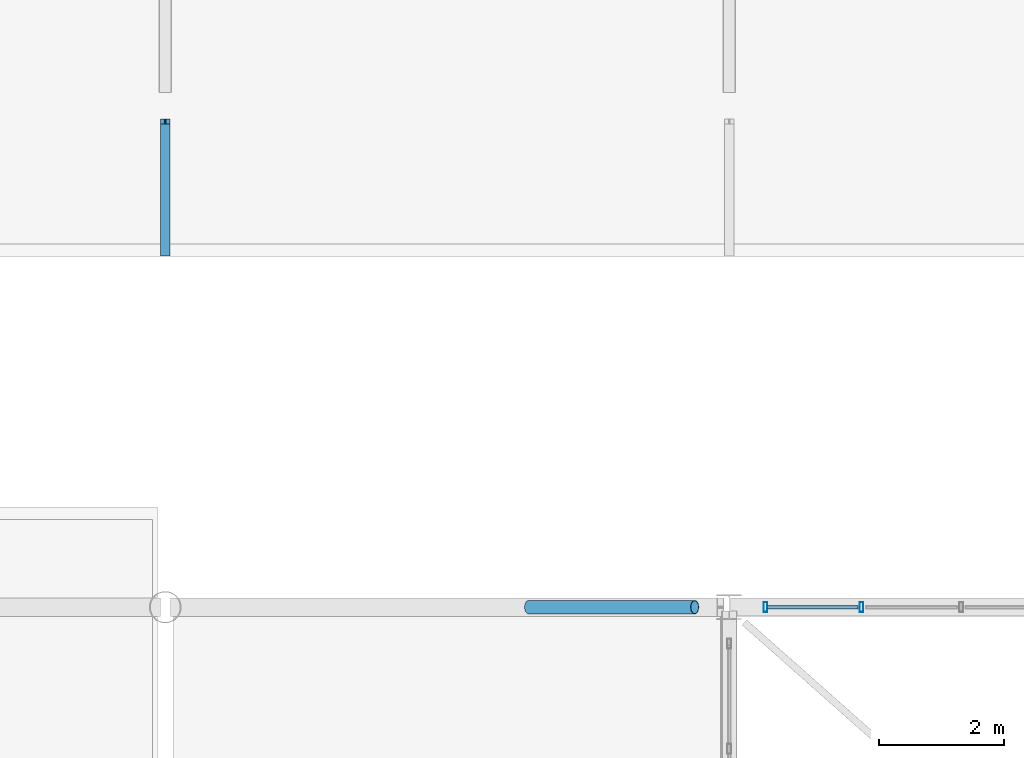
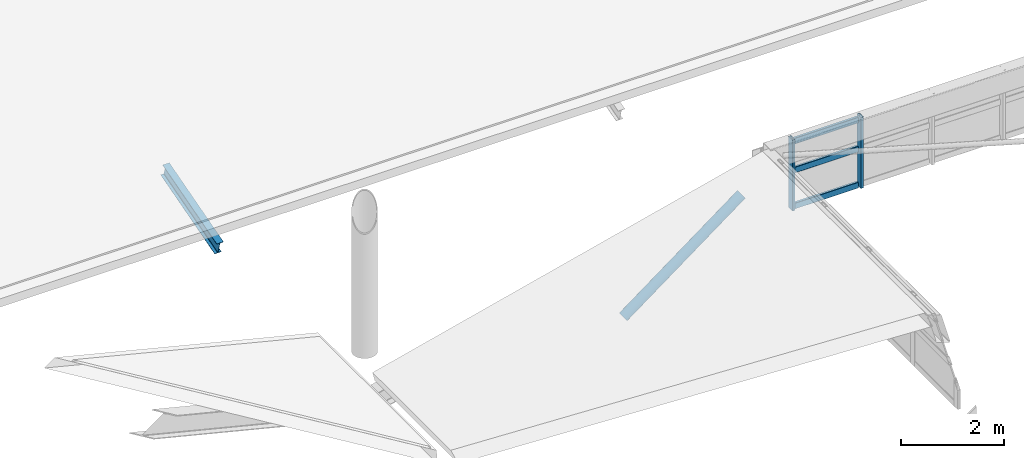
# One storey, part 45 of 128: 6 members, 1 beam, 1 element without a shape of its own.
"""IFC4 building model written with IfcOpenShell, lengths in metres."""

from ifc_helpers import new_model, si_unit, derived_unit, direction, frame, origin, origin_2d, place, context, subcontext, project, spatial, hollow_rectangle, hollow_circle, i_section, extrude, material, material_profile, profile_set, type_object, element, aggregate, save


model = new_model("IFC4")

# Units and contexts
model_context = context("Model", 3, precision=1e-05, world=origin(), true_north=direction((0.0, 1.0)))
body_context = subcontext(model_context, "Body", "Model", "MODEL_VIEW")
ifc_project = project(units=[si_unit("LENGTHUNIT", "METRE"), si_unit("AREAUNIT", "SQUARE_METRE"), si_unit("VOLUMEUNIT", "CUBIC_METRE"), si_unit("PLANEANGLEUNIT", "RADIAN"), si_unit("MASSUNIT", "GRAM", prefix="KILO"), derived_unit("THERMALTRANSMITTANCEUNIT", [(si_unit("MASSUNIT", "GRAM", prefix="KILO"), 1), (si_unit("TIMEUNIT", "SECOND"), -3), (si_unit("THERMODYNAMICTEMPERATUREUNIT", "KELVIN"), -1)])], contexts=[model_context])

# Site, building, storey
site_placement = place(None, origin())
site = spatial("IfcSite", under=ifc_project, at=site_placement, CompositionType="ELEMENT")
building_placement = place(site_placement, origin())
building = spatial("IfcBuilding", under=site, at=building_placement, Name="Zhenchuan Archway Interchange", CompositionType="ELEMENT")
storey_placement = place(building_placement, frame((0.0, 0.0, 14.39990234375)))
storey = spatial("IfcBuildingStorey", under=building, at=storey_placement, Name="L03", CompositionType="ELEMENT", Elevation=14.39990234375)

# Beam
ifc_material_1 = material(Name="Steel Q355", Category="steel")
ifc_material_profile_1 = material_profile(ifc_material_1, i_section(OverallWidth=0.14990234375, OverallDepth=0.300048828125, WebThickness=0.006591796875, FlangeThickness=0.009033203125, FilletRadius=0.012939453125, at=origin_2d()), Name="HN 300x150")
ifc_profile_set_1 = profile_set([ifc_material_profile_1], Name="Steel Q355")
beam_type = type_object("IfcBeamType", Name="BM_STL_EAVE_HN300", PredefinedType="BEAM", material=ifc_profile_set_1)
beam_placement = place(storey_placement, frame((18.0, 95.75, -0.3798828125), z_axis=(0.0, -0.961515511102, -0.274750654067), x_axis=(1.0, 0.0, 0.0)))
element("IfcBeam", 1, at=beam_placement, inside=storey, type_object=beam_type, Name="Terminal Wing storm-eave bracket X18-S", PredefinedType="BEAM", context=body_context, shape_type="SweptSolid", body=[
    extrude(i_section(OverallWidth=0.14990234375, OverallDepth=0.300048828125, WebThickness=0.006591796875, FlangeThickness=0.009033203125, FilletRadius=0.012939453125, at=origin_2d()), origin(), (0.0, 0.0, 1.0), 2.18408203125),
])

# Curtain wall, members
ifc_material_2 = material(Name="Anodised Aluminium", Category="aluminium")
curtain_wall_type = type_object("IfcCurtainWallType", Name="CW_UNIT_4", PredefinedType="NOTDEFINED", material=ifc_material_2)
curtain_wall_placement = place(storey_placement, origin())
curtain_wall = element("IfcCurtainWall", 2, at=curtain_wall_placement, inside=storey, type_object=curtain_wall_type, Name="Unitised curtain wall CW:L03:RING-N1", PredefinedType="NOTDEFINED")
ifc_material_profile_2 = material_profile(ifc_material_2, hollow_rectangle(XDim=0.06005859375, YDim=0.159912109375, WallThickness=0.00390625, InnerFilletRadius=0.00390625, OuterFilletRadius=0.008056640625, at=origin_2d()), Name="ALU 160x60x4")
ifc_profile_set_2 = profile_set([ifc_material_profile_2], Name="Anodised Aluminium")
member_type_1 = type_object("IfcMemberType", Name="CW_MUL_150", PredefinedType="MULLION", material=ifc_profile_set_2)
member_1_placement = place(storey_placement, frame((27.580078125, 88.0, 0.02001953125), z_axis=(0.0, 0.0, 1.0), x_axis=(1.0, 0.0, 0.0)))
member_1 = element("IfcMember", 3, at=member_1_placement, type_object=member_type_1, Name="CW:L03:RING-N1 mullion 0", PredefinedType="MULLION", context=body_context, shape_type="SweptSolid", body=[
    extrude(hollow_rectangle(XDim=0.06005859375, YDim=0.159912109375, WallThickness=0.00390625, InnerFilletRadius=0.00390625, OuterFilletRadius=0.008056640625, at=origin_2d()), origin(), (0.0, 0.0, 1.0), 1.68017578125),
])
member_2_placement = place(storey_placement, frame((29.112060546875, 88.0, 0.02001953125), z_axis=(0.0, 0.0, 1.0), x_axis=(1.0, 0.0, 0.0)))
member_2 = element("IfcMember", 4, at=member_2_placement, type_object=member_type_1, Name="CW:L03:RING-N1 mullion 1", PredefinedType="MULLION", context=body_context, shape_type="SweptSolid", body=[
    extrude(hollow_rectangle(XDim=0.06005859375, YDim=0.159912109375, WallThickness=0.00390625, InnerFilletRadius=0.00390625, OuterFilletRadius=0.008056640625, at=origin_2d()), origin(), (0.0, 0.0, 1.0), 1.68017578125),
])
ifc_material_profile_3 = material_profile(ifc_material_2, hollow_rectangle(XDim=0.06005859375, YDim=0.139892578125, WallThickness=0.00341796875, InnerFilletRadius=0.00341796875, OuterFilletRadius=0.007080078125, at=origin_2d()), Name="ALU 140x60x3.5")
ifc_profile_set_3 = profile_set([ifc_material_profile_3], Name="Anodised Aluminium")
member_type_2 = type_object("IfcMemberType", Name="CW_TRN_140", PredefinedType="USERDEFINED", material=ifc_profile_set_3)
member_3_placement = place(storey_placement, frame((27.60009765625, 88.0, 0.080078125), z_axis=(1.0, 0.0, 0.0), x_axis=(0.0, 1.0, 0.0)))
member_3 = element("IfcMember", 5, at=member_3_placement, type_object=member_type_2, Name="CW:L03:RING-N1 transom 0-1", ObjectType="TRANSOM", PredefinedType="USERDEFINED", context=body_context, shape_type="SweptSolid", body=[
    extrude(hollow_rectangle(XDim=0.06005859375, YDim=0.139892578125, WallThickness=0.00341796875, InnerFilletRadius=0.00341796875, OuterFilletRadius=0.007080078125, at=origin_2d()), origin(), (0.0, 0.0, 1.0), 1.451904296875),
])
member_4_placement = place(storey_placement, frame((27.60009765625, 88.0, 0.93310546875), z_axis=(1.0, 0.0, 0.0), x_axis=(0.0, 1.0, 0.0)))
member_4 = element("IfcMember", 6, at=member_4_placement, type_object=member_type_2, Name="CW:L03:RING-N1 transom 0-2", ObjectType="TRANSOM", PredefinedType="USERDEFINED", context=body_context, shape_type="SweptSolid", body=[
    extrude(hollow_rectangle(XDim=0.06005859375, YDim=0.139892578125, WallThickness=0.00341796875, InnerFilletRadius=0.00341796875, OuterFilletRadius=0.007080078125, at=origin_2d()), origin(), (0.0, 0.0, 1.0), 1.451904296875),
])
member_5_placement = place(storey_placement, frame((27.60009765625, 88.0, 1.6201171875), z_axis=(1.0, 0.0, 0.0), x_axis=(0.0, 1.0, 0.0)))
member_5 = element("IfcMember", 7, at=member_5_placement, type_object=member_type_2, Name="CW:L03:RING-N1 transom 0-3", ObjectType="TRANSOM", PredefinedType="USERDEFINED", context=body_context, shape_type="SweptSolid", body=[
    extrude(hollow_rectangle(XDim=0.06005859375, YDim=0.139892578125, WallThickness=0.00341796875, InnerFilletRadius=0.00341796875, OuterFilletRadius=0.007080078125, at=origin_2d()), origin(), (0.0, 0.0, 1.0), 1.451904296875),
])
aggregate(curtain_wall, [member_1, member_2, member_3, member_4, member_5])

# Member
ifc_material_profile_4 = material_profile(ifc_material_1, hollow_circle(Radius=0.109619140625, WallThickness=0.008056640625, at=origin_2d()), Name="CHS 219x8")
ifc_profile_set_4 = profile_set([ifc_material_profile_4], Name="Steel Q355")
member_type_3 = type_object("IfcMemberType", Name="MB_CHS219", PredefinedType="BRACE", material=ifc_profile_set_4)
member_6_placement = place(storey_placement, frame((23.800048828125, 88.0, -1.219970703125), z_axis=(0.801079207633, 0.0, 0.598558353962), x_axis=(0.0, 1.0, 0.0)))
element("IfcMember", 8, at=member_6_placement, inside=storey, type_object=member_type_3, Name="ROOF TRUSS bus canopy T9 web D3", PredefinedType="BRACE", context=body_context, shape_type="SweptSolid", body=[
    extrude(hollow_circle(Radius=0.109619140625, WallThickness=0.008056640625, at=origin_2d()), origin(), (0.0, 0.0, 1.0), 3.307861328125),
])

save(model, "model.ifc")
